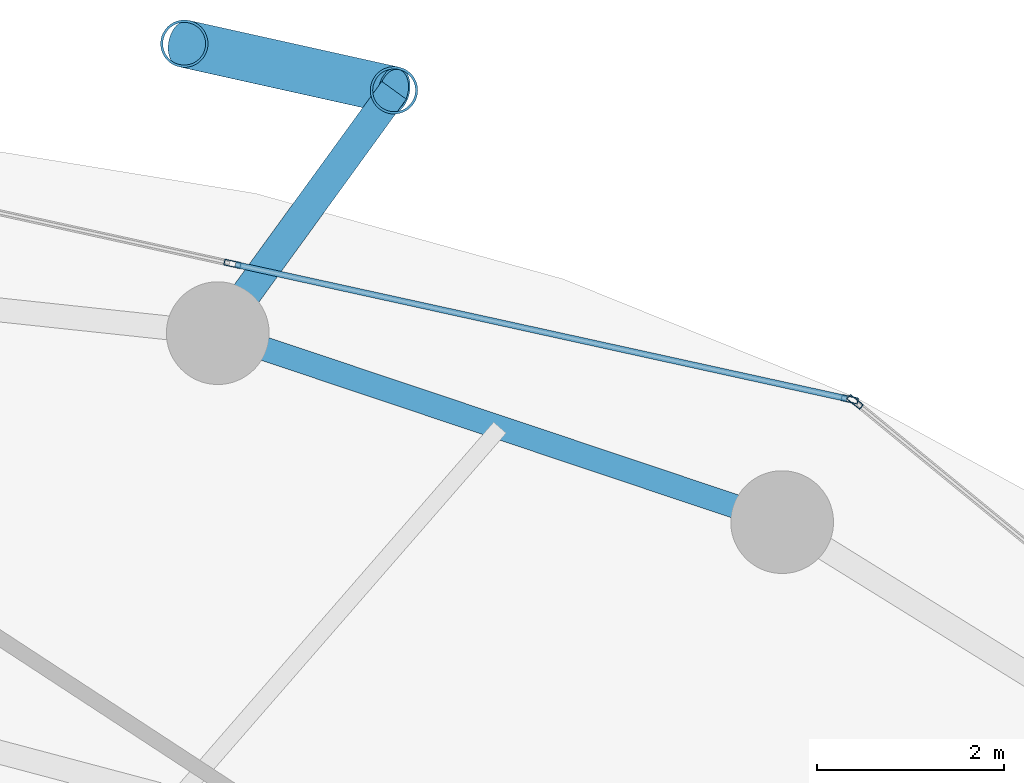
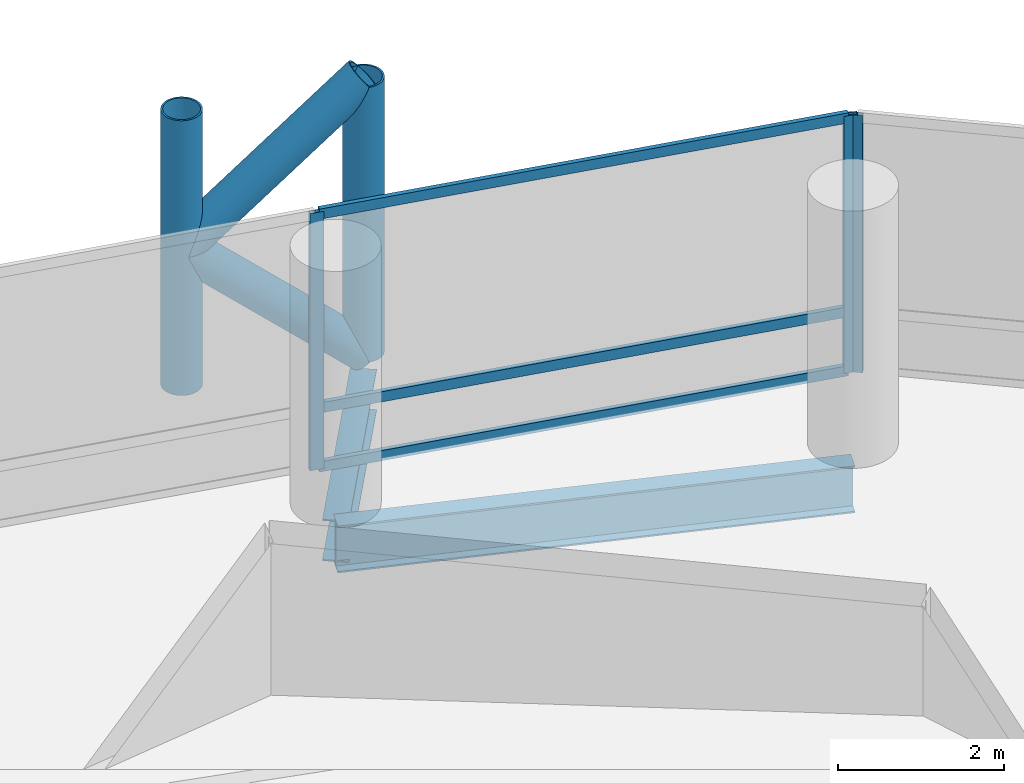
# One storey, part 18 of 24: 10 members, 2 beams, 2 elements without a shape of their own.
"""IFC4 building model written with IfcOpenShell, lengths in metres."""

import ifcopenshell
import ifcopenshell.guid

model = None  # the IFC model being written
_history = None  # IfcOwnerHistory: only IFC2X3 demands one
_inside = {}  # id of a spatial element -> (the spatial element, [elements in it])
_under = {}  # id of a project, library or spatial element -> (it, [spatial elements below it])
_declared = {}  # id of a project -> (the project, [libraries it declares])
_typed = {}  # id of a type object -> (the type object, [elements of that type])
_made_of = {}  # id of a material, layer set ... -> (it, [elements and type objects made of it])


def new_model(schema):
    """Start an empty IFC model of exactly this schema.

    Asked for "IFC4X3", IfcOpenShell would pick the latest addendum, in which some entities
    have other attributes; the version numbers below select the first issue.
    IFC2X3 requires an IfcOwnerHistory on every rooted entity: one is made here for all.
    """
    global model, _history
    if schema == "IFC4X3":
        model = ifcopenshell.file(schema_version=(4, 3, 0, 0))
    else:
        model = ifcopenshell.file(schema=schema)
    _inside.clear()
    _under.clear()
    _declared.clear()
    _typed.clear()
    _made_of.clear()
    _history = None
    if model.schema == "IFC2X3":
        org = make("IfcOrganization", Name="unknown")
        user = make(
            "IfcPersonAndOrganization",
            ThePerson=make("IfcPerson", FamilyName="unknown"),
            TheOrganization=org,
        )
        app = make(
            "IfcApplication",
            ApplicationDeveloper=org,
            Version="unknown",
            ApplicationFullName="unknown",
            ApplicationIdentifier="unknown",
        )
        _history = make(
            "IfcOwnerHistory",
            OwningUser=user,
            OwningApplication=app,
            ChangeAction="ADDED",
            CreationDate=0,
        )
    return model


def make(cls, **values):
    """One entity of the class cls with the attributes given. An attribute that is None is left unset."""
    return model.create_entity(
        cls, **{name: value for name, value in values.items() if value is not None}
    )


def rooted(cls, **values):
    """An entity with a GlobalId (a new one), such as an element, a storey or a relation."""
    return make(cls, GlobalId=ifcopenshell.guid.new(), OwnerHistory=_history, **values)


def si_unit(unit_type, name, prefix=None):
    """IfcSIUnit, for example si_unit("LENGTHUNIT", "METRE", prefix="MILLI")."""
    return make("IfcSIUnit", UnitType=unit_type, Prefix=prefix, Name=name)


def assignment(units):
    """IfcUnitAssignment: the units of a project."""
    return None if units is None else make("IfcUnitAssignment", Units=units)


def point(xyz):
    """IfcCartesianPoint."""
    return None if xyz is None else make("IfcCartesianPoint", Coordinates=xyz)


def direction(xyz):
    """IfcDirection."""
    return None if xyz is None else make("IfcDirection", DirectionRatios=xyz)


def frame(location, z_axis=None, x_axis=None):
    """IfcAxis2Placement3D, a coordinate frame: its origin and axes. An axis left out is left unset."""
    return make(
        "IfcAxis2Placement3D",
        Location=point(location),
        Axis=direction(z_axis),
        RefDirection=direction(x_axis),
    )


def frame_2d(location, x_axis=None):
    """IfcAxis2Placement2D, a coordinate frame in the plane: its origin and x axis."""
    return make(
        "IfcAxis2Placement2D", Location=point(location), RefDirection=direction(x_axis)
    )


def origin():
    """The frame at (0, 0, 0) with its axes left unset."""
    return frame((0.0, 0.0, 0.0))


def origin_2d():
    """The frame at (0, 0) in the plane with its x axis left unset."""
    return frame_2d((0.0, 0.0))


def place(relative_to, where):
    """IfcLocalPlacement: puts the frame where relative to a parent placement (None: the world)."""
    return make(
        "IfcLocalPlacement", PlacementRelTo=relative_to, RelativePlacement=where
    )


def context(
    kind, dimensions, precision=None, world=None, true_north=None, identifier=None
):
    """IfcGeometricRepresentationContext, for example the 3D "Model" context."""
    return make(
        "IfcGeometricRepresentationContext",
        ContextIdentifier=identifier,
        ContextType=kind,
        CoordinateSpaceDimension=dimensions,
        Precision=precision,
        WorldCoordinateSystem=world,
        TrueNorth=true_north,
    )


def subcontext(parent, identifier, kind, view, scale=None):
    """IfcGeometricRepresentationSubContext, for example "Body" below "Model"."""
    return make(
        "IfcGeometricRepresentationSubContext",
        ContextIdentifier=identifier,
        ContextType=kind,
        ParentContext=parent,
        TargetScale=scale,
        TargetView=view,
    )


def project(units=None, contexts=None):
    """IfcProject with its units and contexts."""
    return rooted(
        "IfcProject",
        Name="project",
        RepresentationContexts=contexts,
        UnitsInContext=assignment(units),
    )


def spatial(cls, under=None, at=None, **own):
    """A site, building, storey or space (cls), placed at a placement, below another one or the project."""
    s = rooted(cls, ObjectPlacement=at, **own)
    if under is not None:
        _under.setdefault(under.id(), (under, []))[1].append(s)
    return s


def profile(cls, at=None, kind="AREA", **sizes):
    """A parametric profile (cls). Its sizes go by their IFC names, for example OverallWidth=200.0."""
    return make(cls, ProfileType=kind, Position=at, **sizes)


def hollow_rectangle(**sizes):
    """IfcRectangleHollowProfileDef."""
    return profile("IfcRectangleHollowProfileDef", **sizes)


def hollow_circle(**sizes):
    """IfcCircleHollowProfileDef."""
    return profile("IfcCircleHollowProfileDef", **sizes)


def i_section(**sizes):
    """IfcIShapeProfileDef."""
    return profile("IfcIShapeProfileDef", **sizes)


def extrude(swept, where, along, depth):
    """IfcExtrudedAreaSolid: the profile swept, set in the frame where, extruded along a direction by depth."""
    return make(
        "IfcExtrudedAreaSolid",
        SweptArea=swept,
        Position=where,
        ExtrudedDirection=direction(along),
        Depth=depth,
    )


def shape(context_of_items, identifier, shape_type, items):
    """IfcShapeRepresentation: the items that make up one representation, for example the "Body"."""
    return make(
        "IfcShapeRepresentation",
        ContextOfItems=context_of_items,
        RepresentationIdentifier=identifier,
        RepresentationType=shape_type,
        Items=items,
    )


def material(Name=None, Category=None):
    """IfcMaterial."""
    return make("IfcMaterial", Name=Name, Category=Category)


def layer(
    of_material, thickness, ventilated=None, Name=None, Category=None, Priority=None
):
    """IfcMaterialLayer: one layer of a wall or slab, of a material (None: an air gap)."""
    return make(
        "IfcMaterialLayer",
        Material=of_material,
        LayerThickness=thickness,
        IsVentilated=ventilated,
        Name=Name,
        Category=Category,
        Priority=Priority,
    )


def layer_set(layers, Name=None):
    """IfcMaterialLayerSet."""
    return make("IfcMaterialLayerSet", MaterialLayers=layers, LayerSetName=Name)


def material_profile(
    of_material, cross_section, Name=None, Category=None, Priority=None
):
    """IfcMaterialProfile: a cross section and its material."""
    return make(
        "IfcMaterialProfile",
        Name=Name,
        Material=of_material,
        Profile=cross_section,
        Priority=Priority,
        Category=Category,
    )


def profile_set(profiles, Name=None, composite=None):
    """IfcMaterialProfileSet."""
    return make(
        "IfcMaterialProfileSet",
        Name=Name,
        MaterialProfiles=profiles,
        CompositeProfile=composite,
    )


def made_of(thing, what):
    """Note that an element or type object is made of a material, layer set ...; save() writes the relation."""
    if what is not None:
        _made_of.setdefault(what.id(), (what, []))[1].append(thing)
    return thing


def type_object(cls, material=None, **own):
    """A type object (cls), such as IfcWallType, which elements share."""
    return made_of(rooted(cls, **own), material)


def element(
    cls,
    number,
    at=None,
    inside=None,
    cuts=None,
    type_object=None,
    material=None,
    context=None,
    identifier="Body",
    shape_type=None,
    held_by="IfcProductDefinitionShape",
    body=None,
    shapes=None,
    **own,
):
    """One element of the class cls, such as IfcWall. Its Tag is "e" and its number.

    at: its placement. inside: the storey or other place that contains it. cuts: it is an
    opening in that element (IfcRelVoidsElement). A single representation is given by context,
    identifier, shape_type and body (its items); several are given by shapes. held_by: the class
    of the entity that holds the representations. save() writes the other relations.
    """
    e = rooted(cls, Tag="e%d" % number, ObjectPlacement=at, **own)
    if body is not None:
        shapes = [shape(context, identifier, shape_type, body)]
    if shapes is not None:
        e.Representation = make(held_by, Representations=shapes)
    if inside is not None:
        _inside.setdefault(inside.id(), (inside, []))[1].append(e)
    if cuts is not None:
        rooted(
            "IfcRelVoidsElement", RelatingBuildingElement=cuts, RelatedOpeningElement=e
        )
    if type_object is not None:
        _typed.setdefault(type_object.id(), (type_object, []))[1].append(e)
    return made_of(e, material)


def aggregate(whole, parts):
    """IfcRelAggregates: a whole, such as a stair, and the parts it consists of."""
    return rooted("IfcRelAggregates", RelatingObject=whole, RelatedObjects=parts)


def save(model, path):
    """Write the relations noted so far, then the file.

    IfcRelAggregates (storeys below a building ...), IfcRelContainedInSpatialStructure (elements
    in a storey), IfcRelDefinesByType, IfcRelAssociatesMaterial and IfcRelDeclares: one each for
    every whole, place, type object, material and project.
    """
    for whole, parts in _under.values():
        aggregate(whole, parts)
    for where, things in _inside.values():
        rooted(
            "IfcRelContainedInSpatialStructure",
            RelatedElements=things,
            RelatingStructure=where,
        )
    for kind, things in _typed.values():
        rooted("IfcRelDefinesByType", RelatedObjects=things, RelatingType=kind)
    for what, things in _made_of.values():
        rooted("IfcRelAssociatesMaterial", RelatedObjects=things, RelatingMaterial=what)
    for by, libraries in _declared.values():
        rooted("IfcRelDeclares", RelatingContext=by, RelatedDefinitions=libraries)
    model.write(path)


model = new_model("IFC4")

# Units and contexts
model_context = context("Model", 3, precision=1e-05, world=origin(), true_north=direction((0.0, 1.0)))
body_context = subcontext(model_context, "Body", "Model", "MODEL_VIEW")
ifc_project = project(units=[si_unit("LENGTHUNIT", "METRE"), si_unit("AREAUNIT", "SQUARE_METRE"), si_unit("VOLUMEUNIT", "CUBIC_METRE"), si_unit("PLANEANGLEUNIT", "RADIAN"), si_unit("MASSUNIT", "GRAM", prefix="KILO")], contexts=[model_context])

# Site, building, storey
site_placement = place(None, origin())
site = spatial("IfcSite", under=ifc_project, at=site_placement, CompositionType="ELEMENT")
building_placement = place(site_placement, origin())
building = spatial("IfcBuilding", under=site, at=building_placement, Name="Nuhasar Tower", CompositionType="ELEMENT")
storey_placement = place(building_placement, frame((0.0, 0.0, 33.14990234375)))
storey = spatial("IfcBuildingStorey", under=building, at=storey_placement, Name="L07", CompositionType="ELEMENT", Elevation=33.14990234375)

# Beams
ifc_material_1 = material(Name="Steel S355", Category="steel")
ifc_material_profile_1 = material_profile(ifc_material_1, i_section(OverallWidth=0.256103515625, OverallDepth=0.693115234375, WebThickness=0.014404296875, FlangeThickness=0.023681640625, at=origin_2d()), Name="W27X114")
ifc_profile_set_1 = profile_set([ifc_material_profile_1], Name="Steel S355")
beam_type_1 = type_object("IfcBeamType", Name="BM-RING-W27X114", PredefinedType="SPANDREL", material=ifc_profile_set_1)
beam_1_placement = place(storey_placement, frame((51.52490234375, 44.3369140625, -0.60595703125), z_axis=(-0.948249435708, 0.317526388949, 0.0), x_axis=(-0.317526388949, -0.948249435708, 0.0)))
element("IfcBeam", 1, at=beam_1_placement, inside=storey, type_object=beam_type_1, Name="L07 Perimeter Ring Spandrel 05", PredefinedType="SPANDREL", context=body_context, shape_type="SweptSolid", body=[
    extrude(i_section(OverallWidth=0.256103515625, OverallDepth=0.693115234375, WebThickness=0.014404296875, FlangeThickness=0.023681640625, at=origin_2d()), origin(), (0.0, 0.0, 1.0), 6.371826171875),
])
ifc_material_profile_2 = material_profile(ifc_material_1, i_section(OverallWidth=0.323974609375, OverallDepth=0.611083984375, WebThickness=0.0126953125, FlangeThickness=0.01904296875, at=origin_2d()), Name="W24X104")
ifc_profile_set_2 = profile_set([ifc_material_profile_2], Name="Steel S355")
beam_type_2 = type_object("IfcBeamType", Name="BM-TIE-W24X104", PredefinedType="BEAM", material=ifc_profile_set_2)
beam_2_placement = place(storey_placement, frame((45.48291015625, 46.360107421875, -0.56591796875), z_axis=(0.587439442414, 0.809268127073, 0.0), x_axis=(-0.809268127073, 0.587439442414, 0.0)))
element("IfcBeam", 2, at=beam_2_placement, inside=storey, type_object=beam_type_2, Name="L07 Exoskeleton Node Tie Beam 03", PredefinedType="BEAM", context=body_context, shape_type="SweptSolid", body=[
    extrude(i_section(OverallWidth=0.323974609375, OverallDepth=0.611083984375, WebThickness=0.0126953125, FlangeThickness=0.01904296875, at=origin_2d()), origin(), (0.0, 0.0, 1.0), 3.212646484375),
])

# Curtain wall, member
ifc_material_2 = material(Name="Aluminium 6063-T6", Category="aluminium")
ifc_layer = layer(ifc_material_2, 0.199951171875)
ifc_layer_set = layer_set([ifc_layer], Name="Aluminium 6063-T6")
curtain_wall_type = type_object("IfcCurtainWallType", Name="CW-Z1-OFF", PredefinedType="NOTDEFINED", material=ifc_layer_set)
curtain_wall_1_placement = place(storey_placement, origin())
curtain_wall_1 = element("IfcCurtainWall", 3, at=curtain_wall_1_placement, inside=storey, type_object=curtain_wall_type, Name="L07 Unitised Curtain Wall 02", PredefinedType="NOTDEFINED")
ifc_material_profile_3 = material_profile(ifc_material_2, hollow_rectangle(XDim=0.06494140625, YDim=0.179931640625, WallThickness=0.0048828125, at=origin_2d()), Name="CWM-2")
ifc_profile_set_3 = profile_set([ifc_material_profile_3], Name="Aluminium 6063-T6")
member_type_1 = type_object("IfcMemberType", Name="CW-MUL-S2", PredefinedType="MULLION", material=ifc_profile_set_3)
member_1_placement = place(storey_placement, frame((52.30517578125, 45.62451171875, 0.0), z_axis=(0.0, 0.0, 1.0), x_axis=(-0.633744593376, -0.773542364946, 0.0)))
member_1 = element("IfcMember", 4, at=member_1_placement, type_object=member_type_1, Name="CW-Z1 mullion 2", PredefinedType="MULLION", context=body_context, shape_type="SweptSolid", body=[
    extrude(hollow_rectangle(XDim=0.06494140625, YDim=0.179931640625, WallThickness=0.0048828125, at=origin_2d()), origin(), (0.0, 0.0, 1.0), 3.7900390625),
])
aggregate(curtain_wall_1, [member_1])

# Curtain wall, members
curtain_wall_2_placement = place(storey_placement, origin())
curtain_wall_2 = element("IfcCurtainWall", 5, at=curtain_wall_2_placement, inside=storey, type_object=curtain_wall_type, Name="L07 Unitised Curtain Wall 03", PredefinedType="NOTDEFINED")
member_2_placement = place(storey_placement, frame((52.248291015625, 45.65185546875, 0.0), z_axis=(0.0, 0.0, 1.0), x_axis=(-0.214398737637, -0.976746221544, 0.0)))
member_2 = element("IfcMember", 6, at=member_2_placement, type_object=member_type_1, Name="CW-Z1 mullion 1", PredefinedType="MULLION", context=body_context, shape_type="SweptSolid", body=[
    extrude(hollow_rectangle(XDim=0.06494140625, YDim=0.179931640625, WallThickness=0.0048828125, at=origin_2d()), origin(), (0.0, 0.0, 1.0), 3.7900390625),
])
member_3_placement = place(storey_placement, frame((45.639892578125, 47.1025390625, 0.0), z_axis=(0.0, 0.0, 1.0), x_axis=(-0.214398737637, -0.976746221544, 0.0)))
member_3 = element("IfcMember", 7, at=member_3_placement, type_object=member_type_1, Name="CW-Z1 mullion 2", PredefinedType="MULLION", context=body_context, shape_type="SweptSolid", body=[
    extrude(hollow_rectangle(XDim=0.06494140625, YDim=0.179931640625, WallThickness=0.0048828125, at=origin_2d()), origin(), (0.0, 0.0, 1.0), 3.7900390625),
])
ifc_material_profile_4 = material_profile(ifc_material_2, hollow_rectangle(XDim=0.06494140625, YDim=0.14990234375, WallThickness=0.00439453125, at=origin_2d()), Name="CWT-2")
ifc_profile_set_4 = profile_set([ifc_material_profile_4], Name="Aluminium 6063-T6")
member_type_2 = type_object("IfcMemberType", Name="CW-TRN-S2", PredefinedType="USERDEFINED", material=ifc_profile_set_4)
member_4_placement = place(storey_placement, frame((52.216552734375, 45.658935546875, 0.03271484375), z_axis=(-0.976749553792, 0.214383556196, 0.0), x_axis=(-0.214383556196, -0.976749553792, 0.0)))
member_4 = element("IfcMember", 8, at=member_4_placement, type_object=member_type_2, Name="CW-Z1 transom 1.1", ObjectType="TRANSOM", PredefinedType="USERDEFINED", context=body_context, shape_type="SweptSolid", body=[
    extrude(hollow_rectangle(XDim=0.06494140625, YDim=0.14990234375, WallThickness=0.00439453125, at=origin_2d()), origin(), (0.0, 0.0, 1.0), 6.70068359375),
])
member_5_placement = place(storey_placement, frame((52.216552734375, 45.658935546875, 0.900146484375), z_axis=(-0.976749553792, 0.214383556196, 0.0), x_axis=(-0.214383556196, -0.976749553792, 0.0)))
member_5 = element("IfcMember", 9, at=member_5_placement, type_object=member_type_2, Name="CW-Z1 transom 1.2", ObjectType="TRANSOM", PredefinedType="USERDEFINED", context=body_context, shape_type="SweptSolid", body=[
    extrude(hollow_rectangle(XDim=0.06494140625, YDim=0.14990234375, WallThickness=0.00439453125, at=origin_2d()), origin(), (0.0, 0.0, 1.0), 6.70068359375),
])
member_6_placement = place(storey_placement, frame((52.216552734375, 45.658935546875, 3.757568359375), z_axis=(-0.976749553792, 0.214383556196, 0.0), x_axis=(-0.214383556196, -0.976749553792, 0.0)))
member_6 = element("IfcMember", 10, at=member_6_placement, type_object=member_type_2, Name="CW-Z1 transom 1.3", ObjectType="TRANSOM", PredefinedType="USERDEFINED", context=body_context, shape_type="SweptSolid", body=[
    extrude(hollow_rectangle(XDim=0.06494140625, YDim=0.14990234375, WallThickness=0.00439453125, at=origin_2d()), origin(), (0.0, 0.0, 1.0), 6.70068359375),
])
aggregate(curtain_wall_2, [member_2, member_3, member_4, member_5, member_6])

# Members
ifc_material_3 = material(Name="Steel S460", Category="steel")
ifc_material_profile_5 = material_profile(ifc_material_3, hollow_circle(Radius=0.25390625, WallThickness=0.025390625, at=origin_2d()), Name="HSS508X25.4")
ifc_profile_set_5 = profile_set([ifc_material_profile_5], Name="Steel S460")
member_type_3 = type_object("IfcMemberType", Name="EXO-BRONZE-508", PredefinedType="BRACE", material=ifc_profile_set_5)
for number, where, z_axis, x_axis, name in (
    (11, (47.3701171875, 48.9599609375, 0.0), (0.0, 0.0, 1.0), (1.0, 0.0, 0.0), "L07 Exoskeleton Chord Column EC-03A"),
    (12, (45.1240234375, 49.458984375, 0.0), (0.0, 0.0, 1.0), (1.0, 0.0, 0.0), "L07 Exoskeleton Chord Column EC-03B"),
):
    element("IfcMember", number, at=place(storey_placement, frame(where, z_axis=z_axis, x_axis=x_axis)), inside=storey, type_object=member_type_3, Name=name, PredefinedType="BRACE", context=body_context, shape_type="SweptSolid", body=[
        extrude(hollow_circle(Radius=0.25390625, WallThickness=0.025390625, at=origin_2d()), origin(), (0.0, 0.0, 1.0), 4.050048828125),
    ])
member_7_placement = place(storey_placement, frame((47.3701171875, 48.9599609375, 0.0), z_axis=(-0.732782908552, 0.162805246204, 0.660699372439), x_axis=(-0.216885517571, -0.97619704582, 0.0)))
element("IfcMember", 13, at=member_7_placement, inside=storey, type_object=member_type_3, Name="L07 Bronze Diagrid Brace W1-03", PredefinedType="BRACE", context=body_context, shape_type="SweptSolid", body=[
    extrude(hollow_circle(Radius=0.25390625, WallThickness=0.025390625, at=origin_2d()), origin(), (0.0, 0.0, 1.0), 3.065185546875),
])
member_8_placement = place(storey_placement, frame((45.1240234375, 49.458984375, 2.025146484375), z_axis=(0.732821471909, -0.162813813976, 0.660654487828), x_axis=(0.216885517571, 0.97619704582, 0.0)))
element("IfcMember", 14, at=member_8_placement, inside=storey, type_object=member_type_3, Name="L07 Bronze Diagrid Brace W2-03", PredefinedType="BRACE", context=body_context, shape_type="SweptSolid", body=[
    extrude(hollow_circle(Radius=0.25390625, WallThickness=0.025390625, at=origin_2d()), origin(), (0.0, 0.0, 1.0), 3.06494140625),
])

save(model, "model.ifc")
